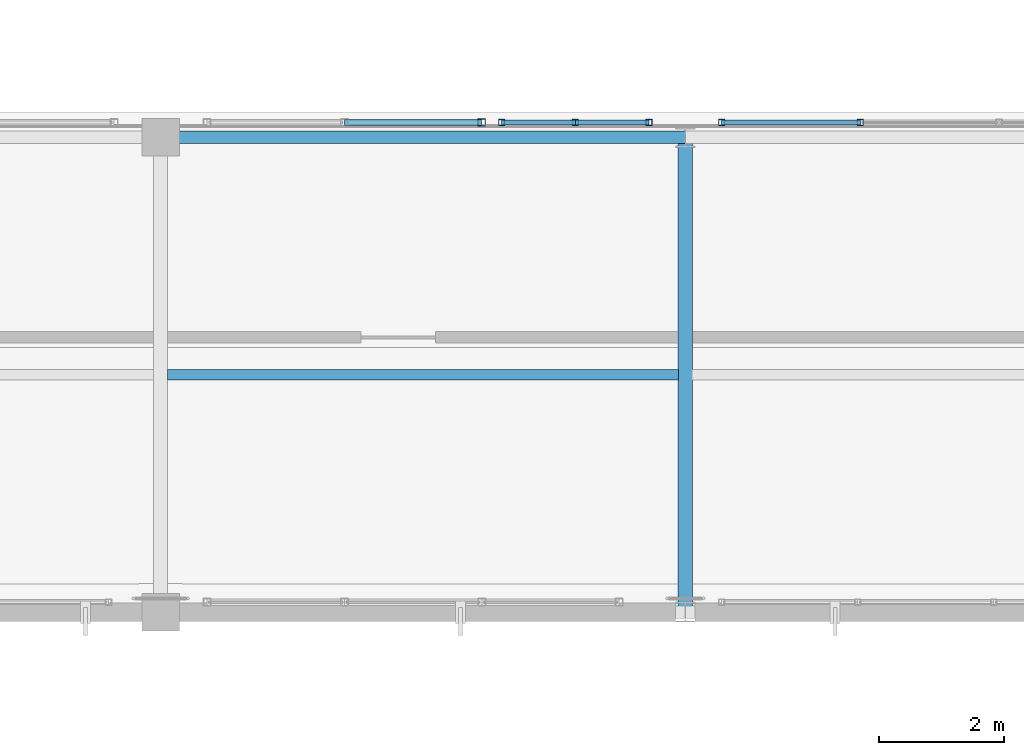
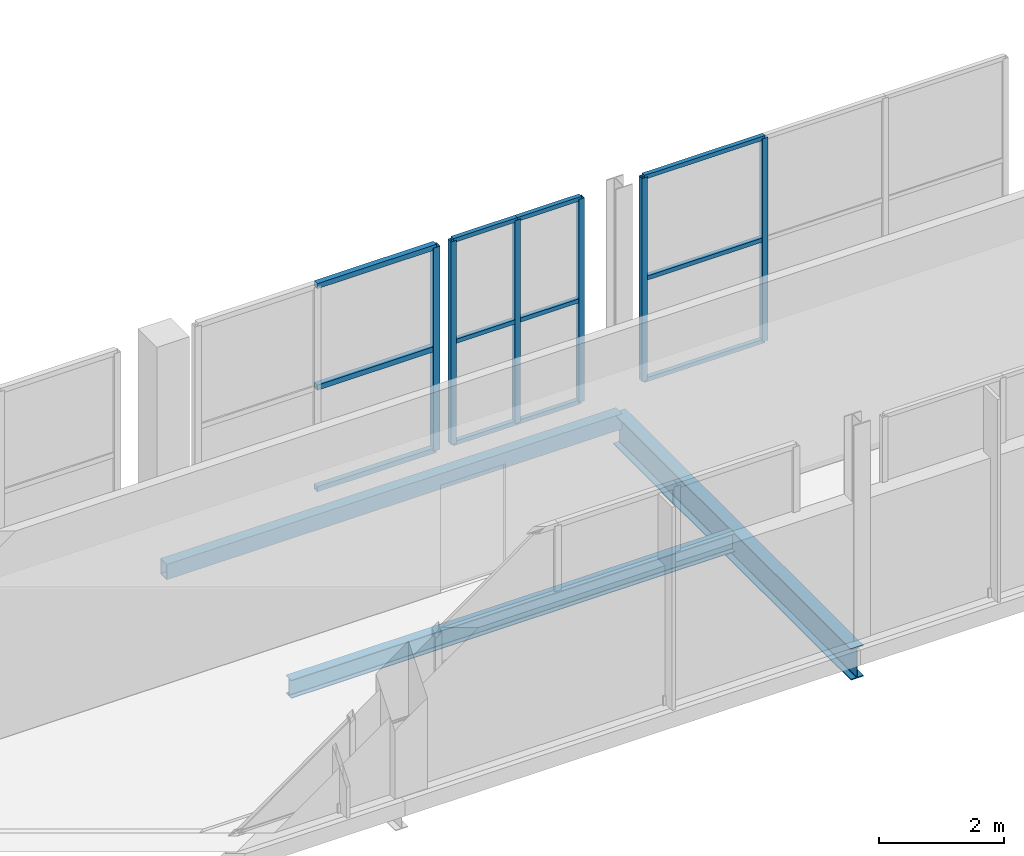
# One storey, part 49 of 151: 18 members, 3 beams, 3 elements without a shape of their own.
"""IFC4 building model written with IfcOpenShell, lengths in metres."""

from ifc_helpers import new_model, si_unit, direction, frame, origin, origin_2d, place, context, subcontext, project, spatial, hollow_rectangle, i_section, extrude, material, material_profile, profile_set, type_object, element, aggregate, save


model = new_model("IFC4")

# Units and contexts
model_context = context("Model", 3, precision=1e-05, world=origin(), true_north=direction((0.0, 1.0)))
body_context = subcontext(model_context, "Body", "Model", "MODEL_VIEW")
ifc_project = project(units=[si_unit("LENGTHUNIT", "METRE"), si_unit("AREAUNIT", "SQUARE_METRE"), si_unit("VOLUMEUNIT", "CUBIC_METRE"), si_unit("PLANEANGLEUNIT", "RADIAN"), si_unit("MASSUNIT", "GRAM", prefix="KILO")], contexts=[model_context])

# Site, building, storey
site_placement = place(None, origin())
site = spatial("IfcSite", under=ifc_project, at=site_placement, CompositionType="ELEMENT")
building_placement = place(site_placement, origin())
building = spatial("IfcBuilding", under=site, at=building_placement, Name="Zuvorla Pavilion Media Centre", CompositionType="ELEMENT")
storey_placement = place(building_placement, frame((0.0, 0.0, 13.800048828125)))
storey = spatial("IfcBuildingStorey", under=building, at=storey_placement, Name="L03", CompositionType="ELEMENT", Elevation=13.800048828125)

# Beams
ifc_material_1 = material(Name="Steel S355", Category="steel")
ifc_material_profile_1 = material_profile(ifc_material_1, hollow_rectangle(XDim=0.199951171875, YDim=0.300048828125, WallThickness=0.012451171875, at=origin_2d()), Name="RHS 300x200x12.5")
ifc_profile_set_1 = profile_set([ifc_material_profile_1], Name="Steel S355")
beam_type_1 = type_object("IfcBeamType", Name="BM-SP-RHS300", PredefinedType="SPANDREL", material=ifc_profile_set_1)
beam_1_placement = place(storey_placement, frame((117.199951171875, 51.60009765625, -0.407958984375), z_axis=(1.0, 0.0, 0.0), x_axis=(0.0, 1.0, 0.0)))
element("IfcBeam", 1, at=beam_1_placement, inside=storey, type_object=beam_type_1, Name="L03 spandrel SP01 1103", PredefinedType="SPANDREL", context=body_context, shape_type="SweptSolid", body=[
    extrude(hollow_rectangle(XDim=0.199951171875, YDim=0.300048828125, WallThickness=0.012451171875, at=origin_2d()), origin(), (0.0, 0.0, 1.0), 8.400146484375),
])
ifc_material_profile_2 = material_profile(ifc_material_1, i_section(OverallWidth=0.172119140625, OverallDepth=0.35791015625, WebThickness=0.008056640625, FlangeThickness=0.012939453125, FilletRadius=0.01025390625, at=origin_2d()), Name="UB 356x171x57")
ifc_profile_set_2 = profile_set([ifc_material_profile_2], Name="Steel S355")
beam_type_2 = type_object("IfcBeamType", Name="BM-UB356", PredefinedType="JOIST", material=ifc_profile_set_2)
beam_2_placement = place(storey_placement, frame((117.3095703125, 47.800048828125, -0.43701171875), z_axis=(1.0, 0.0, 0.0), x_axis=(0.0, 1.0, 0.0)))
element("IfcBeam", 2, at=beam_2_placement, inside=storey, type_object=beam_type_2, Name="L03 joist J03 1279", PredefinedType="JOIST", context=body_context, shape_type="SweptSolid", body=[
    extrude(i_section(OverallWidth=0.172119140625, OverallDepth=0.35791015625, WebThickness=0.008056640625, FlangeThickness=0.012939453125, FilletRadius=0.01025390625, at=origin_2d()), origin(), (0.0, 0.0, 1.0), 8.180908203125),
])
ifc_material_profile_3 = material_profile(ifc_material_1, i_section(OverallWidth=0.22900390625, OverallDepth=0.6123046875, WebThickness=0.011962890625, FlangeThickness=0.01953125, FilletRadius=0.0126953125, at=origin_2d()), Name="UB 610x229x125")
ifc_profile_set_3 = profile_set([ifc_material_profile_3], Name="Steel S355")
beam_type_3 = type_object("IfcBeamType", Name="BM-UB610", PredefinedType="BEAM", material=ifc_profile_set_3)
beam_3_placement = place(storey_placement, frame((125.60009765625, 44.0, -0.564208984375), z_axis=(0.0, 1.0, 0.0), x_axis=(-1.0, 0.0, 0.0)))
element("IfcBeam", 3, at=beam_3_placement, inside=storey, type_object=beam_type_3, Name="L03 beam B07 1214", PredefinedType="BEAM", context=body_context, shape_type="SweptSolid", body=[
    extrude(i_section(OverallWidth=0.22900390625, OverallDepth=0.6123046875, WebThickness=0.011962890625, FlangeThickness=0.01953125, FilletRadius=0.0126953125, at=origin_2d()), origin(), (0.0, 0.0, 1.0), 7.60009765625),
])

# Curtain wall, members
ifc_material_2 = material(Name="Unitised anodised aluminium and solar glass curtain wall", Category="aluminium")
curtain_wall_type_1 = type_object("IfcCurtainWallType", Name="CW-SYS-53", PredefinedType="USERDEFINED", material=ifc_material_2)
curtain_wall_1_placement = place(storey_placement, origin())
curtain_wall_1 = element("IfcCurtainWall", 4, at=curtain_wall_1_placement, inside=storey, type_object=curtain_wall_type_1, Name="L03 curtain wall CW53 178", ObjectType="CURTAIN WALL", PredefinedType="USERDEFINED")
ifc_material_3 = material(Name="Anodised aluminium 6063-T6", Category="aluminium")
ifc_material_profile_4 = material_profile(ifc_material_3, hollow_rectangle(XDim=0.10009765625, YDim=0.10009765625, WallThickness=0.00439453125, at=origin_2d()), Name="ALU MULL 100x100")
ifc_profile_set_4 = profile_set([ifc_material_profile_4], Name="Anodised aluminium 6063-T6")
member_type_1 = type_object("IfcMemberType", Name="CW-MULL-100", PredefinedType="MULLION", material=ifc_profile_set_4)
member_1_placement = place(storey_placement, frame((122.659912109375, 51.840087890625, 0.0), z_axis=(0.0, 0.0, 1.0), x_axis=(1.0, 0.0, 0.0)))
member_1 = element("IfcMember", 5, at=member_1_placement, type_object=member_type_1, Name="CW53 mullion 1", PredefinedType="MULLION", context=body_context, shape_type="SweptSolid", body=[
    extrude(hollow_rectangle(XDim=0.10009765625, YDim=0.10009765625, WallThickness=0.00439453125, at=origin_2d()), origin(), (0.0, 0.0, 1.0), 3.9599609375),
])
member_2_placement = place(storey_placement, frame((123.839111328125, 51.840087890625, 0.0), z_axis=(0.0, 0.0, 1.0), x_axis=(1.0, 0.0, 0.0)))
member_2 = element("IfcMember", 6, at=member_2_placement, type_object=member_type_1, Name="CW53 mullion 2", PredefinedType="MULLION", context=body_context, shape_type="SweptSolid", body=[
    extrude(hollow_rectangle(XDim=0.10009765625, YDim=0.10009765625, WallThickness=0.00439453125, at=origin_2d()), origin(), (0.0, 0.0, 1.0), 3.9599609375),
])
member_3_placement = place(storey_placement, frame((125.01806640625, 51.840087890625, 0.0), z_axis=(0.0, 0.0, 1.0), x_axis=(1.0, 0.0, 0.0)))
member_3 = element("IfcMember", 7, at=member_3_placement, type_object=member_type_1, Name="CW53 mullion 3", PredefinedType="MULLION", context=body_context, shape_type="SweptSolid", body=[
    extrude(hollow_rectangle(XDim=0.10009765625, YDim=0.10009765625, WallThickness=0.00439453125, at=origin_2d()), origin(), (0.0, 0.0, 1.0), 3.9599609375),
])

curtain_wall_type_2 = type_object("IfcCurtainWallType", Name="CW-SYS-54", PredefinedType="USERDEFINED", material=ifc_material_2)
curtain_wall_2_placement = place(storey_placement, origin())
curtain_wall_2 = element("IfcCurtainWall", 8, at=curtain_wall_2_placement, inside=storey, type_object=curtain_wall_type_2, Name="L03 curtain wall CW54 179", ObjectType="CURTAIN WALL", PredefinedType="USERDEFINED")
member_4_placement = place(storey_placement, frame((126.181884765625, 51.840087890625, 0.0), z_axis=(0.0, 0.0, 1.0), x_axis=(1.0, 0.0, 0.0)))
member_4 = element("IfcMember", 9, at=member_4_placement, type_object=member_type_1, Name="CW54 mullion 1", PredefinedType="MULLION", context=body_context, shape_type="SweptSolid", body=[
    extrude(hollow_rectangle(XDim=0.10009765625, YDim=0.10009765625, WallThickness=0.00439453125, at=origin_2d()), origin(), (0.0, 0.0, 1.0), 3.9599609375),
])
member_5_placement = place(storey_placement, frame((128.4013671875, 51.840087890625, 0.0), z_axis=(0.0, 0.0, 1.0), x_axis=(1.0, 0.0, 0.0)))
member_5 = element("IfcMember", 10, at=member_5_placement, type_object=member_type_1, Name="CW54 mullion 2", PredefinedType="MULLION", context=body_context, shape_type="SweptSolid", body=[
    extrude(hollow_rectangle(XDim=0.10009765625, YDim=0.10009765625, WallThickness=0.00439453125, at=origin_2d()), origin(), (0.0, 0.0, 1.0), 3.9599609375),
])

curtain_wall_type_3 = type_object("IfcCurtainWallType", Name="CW-SYS-79", PredefinedType="USERDEFINED", material=ifc_material_2)
curtain_wall_3_placement = place(storey_placement, origin())
curtain_wall_3 = element("IfcCurtainWall", 11, at=curtain_wall_3_placement, inside=storey, type_object=curtain_wall_type_3, Name="L03 curtain wall CW79 175", ObjectType="CURTAIN WALL", PredefinedType="USERDEFINED")
ifc_material_profile_5 = material_profile(ifc_material_3, hollow_rectangle(XDim=0.1201171875, YDim=0.1201171875, WallThickness=0.0048828125, at=origin_2d()), Name="ALU MULL 120x120")
ifc_profile_set_5 = profile_set([ifc_material_profile_5], Name="Anodised aluminium 6063-T6")
member_type_2 = type_object("IfcMemberType", Name="CW-MULL-120", PredefinedType="MULLION", material=ifc_profile_set_5)
member_6_placement = place(storey_placement, frame((122.340087890625, 51.840087890625, 0.0), z_axis=(0.0, 0.0, 1.0), x_axis=(1.0, 0.0, 0.0)))
member_6 = element("IfcMember", 12, at=member_6_placement, type_object=member_type_2, Name="CW79 mullion 3", PredefinedType="MULLION", context=body_context, shape_type="SweptSolid", body=[
    extrude(hollow_rectangle(XDim=0.1201171875, YDim=0.1201171875, WallThickness=0.0048828125, at=origin_2d()), origin(), (0.0, 0.0, 1.0), 3.9599609375),
])
ifc_material_profile_6 = material_profile(ifc_material_3, hollow_rectangle(XDim=0.10009765625, YDim=0.10009765625, WallThickness=0.00439453125, at=origin_2d()), Name="ALU TRAN 100x100")
ifc_profile_set_6 = profile_set([ifc_material_profile_6], Name="Anodised aluminium 6063-T6")
member_type_3 = type_object("IfcMemberType", Name="CW-TRAN-100", PredefinedType="USERDEFINED", material=ifc_profile_set_6)
member_7_placement = place(storey_placement, frame((120.14208984375, 51.840087890625, 0.0), z_axis=(1.0, 0.0, 0.0), x_axis=(0.0, 1.0, 0.0)))
member_7 = element("IfcMember", 13, at=member_7_placement, type_object=member_type_3, Name="CW79 transom 2.1", ObjectType="TRANSOM", PredefinedType="USERDEFINED", context=body_context, shape_type="SweptSolid", body=[
    extrude(hollow_rectangle(XDim=0.10009765625, YDim=0.10009765625, WallThickness=0.00439453125, at=origin_2d()), origin(), (0.0, 0.0, 1.0), 2.197998046875),
])
member_8_placement = place(storey_placement, frame((120.14208984375, 51.840087890625, 1.97998046875), z_axis=(1.0, 0.0, 0.0), x_axis=(0.0, 1.0, 0.0)))
member_8 = element("IfcMember", 14, at=member_8_placement, type_object=member_type_3, Name="CW79 transom 2.2", ObjectType="TRANSOM", PredefinedType="USERDEFINED", context=body_context, shape_type="SweptSolid", body=[
    extrude(hollow_rectangle(XDim=0.10009765625, YDim=0.10009765625, WallThickness=0.00439453125, at=origin_2d()), origin(), (0.0, 0.0, 1.0), 2.197998046875),
])
member_9_placement = place(storey_placement, frame((120.14208984375, 51.840087890625, 3.9599609375), z_axis=(1.0, 0.0, 0.0), x_axis=(0.0, 1.0, 0.0)))
member_9 = element("IfcMember", 15, at=member_9_placement, type_object=member_type_3, Name="CW79 transom 2.3", ObjectType="TRANSOM", PredefinedType="USERDEFINED", context=body_context, shape_type="SweptSolid", body=[
    extrude(hollow_rectangle(XDim=0.10009765625, YDim=0.10009765625, WallThickness=0.00439453125, at=origin_2d()), origin(), (0.0, 0.0, 1.0), 2.197998046875),
])
aggregate(curtain_wall_3, [member_6, member_7, member_8, member_9])

# Member
ifc_material_profile_7 = material_profile(ifc_material_3, hollow_rectangle(XDim=0.080078125, YDim=0.080078125, WallThickness=0.00390625, at=origin_2d()), Name="ALU TRAN 80x80")
ifc_profile_set_7 = profile_set([ifc_material_profile_7], Name="Anodised aluminium 6063-T6")
member_type_4 = type_object("IfcMemberType", Name="CW-TRAN-80", PredefinedType="USERDEFINED", material=ifc_profile_set_7)
member_10_placement = place(storey_placement, frame((122.659912109375, 51.840087890625, 0.0), z_axis=(1.0, 0.0, 0.0), x_axis=(0.0, 1.0, 0.0)))
member_10 = element("IfcMember", 16, at=member_10_placement, type_object=member_type_4, Name="CW53 transom 1.1", ObjectType="TRANSOM", PredefinedType="USERDEFINED", context=body_context, shape_type="SweptSolid", body=[
    extrude(hollow_rectangle(XDim=0.080078125, YDim=0.080078125, WallThickness=0.00390625, at=origin_2d()), origin(), (0.0, 0.0, 1.0), 1.17919921875),
])

member_11_placement = place(storey_placement, frame((122.659912109375, 51.840087890625, 1.97998046875), z_axis=(1.0, 0.0, 0.0), x_axis=(0.0, 1.0, 0.0)))
member_11 = element("IfcMember", 17, at=member_11_placement, type_object=member_type_4, Name="CW53 transom 1.2", ObjectType="TRANSOM", PredefinedType="USERDEFINED", context=body_context, shape_type="SweptSolid", body=[
    extrude(hollow_rectangle(XDim=0.080078125, YDim=0.080078125, WallThickness=0.00390625, at=origin_2d()), origin(), (0.0, 0.0, 1.0), 1.17919921875),
])

member_12_placement = place(storey_placement, frame((122.659912109375, 51.840087890625, 3.9599609375), z_axis=(1.0, 0.0, 0.0), x_axis=(0.0, 1.0, 0.0)))
member_12 = element("IfcMember", 18, at=member_12_placement, type_object=member_type_4, Name="CW53 transom 1.3", ObjectType="TRANSOM", PredefinedType="USERDEFINED", context=body_context, shape_type="SweptSolid", body=[
    extrude(hollow_rectangle(XDim=0.080078125, YDim=0.080078125, WallThickness=0.00390625, at=origin_2d()), origin(), (0.0, 0.0, 1.0), 1.17919921875),
])

member_13_placement = place(storey_placement, frame((123.839111328125, 51.840087890625, 0.0), z_axis=(1.0, 0.0, 0.0), x_axis=(0.0, 1.0, 0.0)))
member_13 = element("IfcMember", 19, at=member_13_placement, type_object=member_type_4, Name="CW53 transom 2.1", ObjectType="TRANSOM", PredefinedType="USERDEFINED", context=body_context, shape_type="SweptSolid", body=[
    extrude(hollow_rectangle(XDim=0.080078125, YDim=0.080078125, WallThickness=0.00390625, at=origin_2d()), origin(), (0.0, 0.0, 1.0), 1.178955078125),
])

member_14_placement = place(storey_placement, frame((123.839111328125, 51.840087890625, 1.97998046875), z_axis=(1.0, 0.0, 0.0), x_axis=(0.0, 1.0, 0.0)))
member_14 = element("IfcMember", 20, at=member_14_placement, type_object=member_type_4, Name="CW53 transom 2.2", ObjectType="TRANSOM", PredefinedType="USERDEFINED", context=body_context, shape_type="SweptSolid", body=[
    extrude(hollow_rectangle(XDim=0.080078125, YDim=0.080078125, WallThickness=0.00390625, at=origin_2d()), origin(), (0.0, 0.0, 1.0), 1.178955078125),
])

member_15_placement = place(storey_placement, frame((123.839111328125, 51.840087890625, 3.9599609375), z_axis=(1.0, 0.0, 0.0), x_axis=(0.0, 1.0, 0.0)))
member_15 = element("IfcMember", 21, at=member_15_placement, type_object=member_type_4, Name="CW53 transom 2.3", ObjectType="TRANSOM", PredefinedType="USERDEFINED", context=body_context, shape_type="SweptSolid", body=[
    extrude(hollow_rectangle(XDim=0.080078125, YDim=0.080078125, WallThickness=0.00390625, at=origin_2d()), origin(), (0.0, 0.0, 1.0), 1.178955078125),
])

aggregate(curtain_wall_1, [member_1, member_2, member_3, member_10, member_11, member_12, member_13, member_14, member_15])

member_16_placement = place(storey_placement, frame((126.181884765625, 51.840087890625, 0.0), z_axis=(1.0, 0.0, 0.0), x_axis=(0.0, 1.0, 0.0)))
member_16 = element("IfcMember", 22, at=member_16_placement, type_object=member_type_4, Name="CW54 transom 1.1", ObjectType="TRANSOM", PredefinedType="USERDEFINED", context=body_context, shape_type="SweptSolid", body=[
    extrude(hollow_rectangle(XDim=0.080078125, YDim=0.080078125, WallThickness=0.00390625, at=origin_2d()), origin(), (0.0, 0.0, 1.0), 2.219482421875),
])

member_17_placement = place(storey_placement, frame((126.181884765625, 51.840087890625, 1.97998046875), z_axis=(1.0, 0.0, 0.0), x_axis=(0.0, 1.0, 0.0)))
member_17 = element("IfcMember", 23, at=member_17_placement, type_object=member_type_4, Name="CW54 transom 1.2", ObjectType="TRANSOM", PredefinedType="USERDEFINED", context=body_context, shape_type="SweptSolid", body=[
    extrude(hollow_rectangle(XDim=0.080078125, YDim=0.080078125, WallThickness=0.00390625, at=origin_2d()), origin(), (0.0, 0.0, 1.0), 2.219482421875),
])

member_18_placement = place(storey_placement, frame((126.181884765625, 51.840087890625, 3.9599609375), z_axis=(1.0, 0.0, 0.0), x_axis=(0.0, 1.0, 0.0)))
member_18 = element("IfcMember", 24, at=member_18_placement, type_object=member_type_4, Name="CW54 transom 1.3", ObjectType="TRANSOM", PredefinedType="USERDEFINED", context=body_context, shape_type="SweptSolid", body=[
    extrude(hollow_rectangle(XDim=0.080078125, YDim=0.080078125, WallThickness=0.00390625, at=origin_2d()), origin(), (0.0, 0.0, 1.0), 2.219482421875),
])

aggregate(curtain_wall_2, [member_4, member_5, member_16, member_17, member_18])

save(model, "model.ifc")
